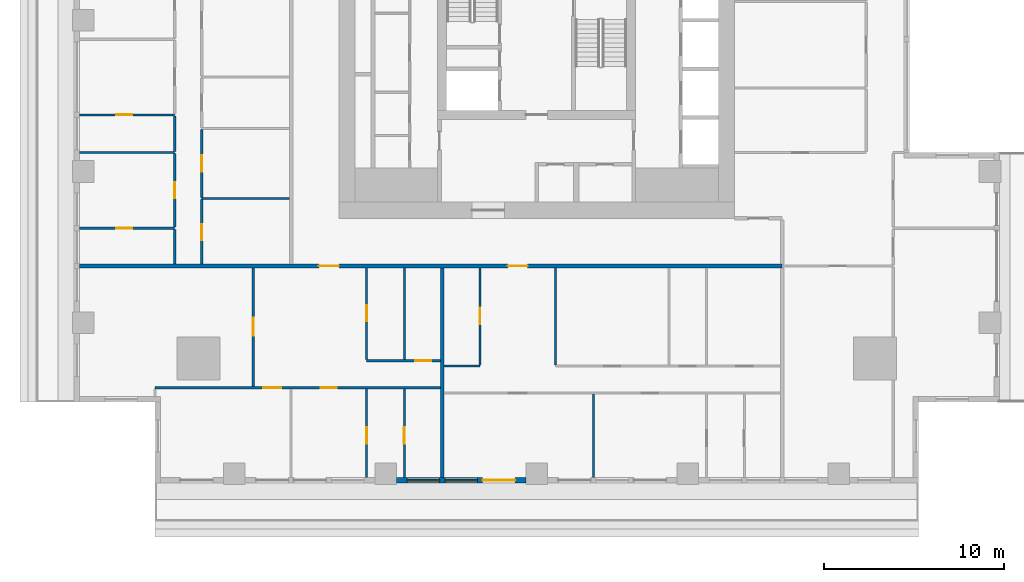
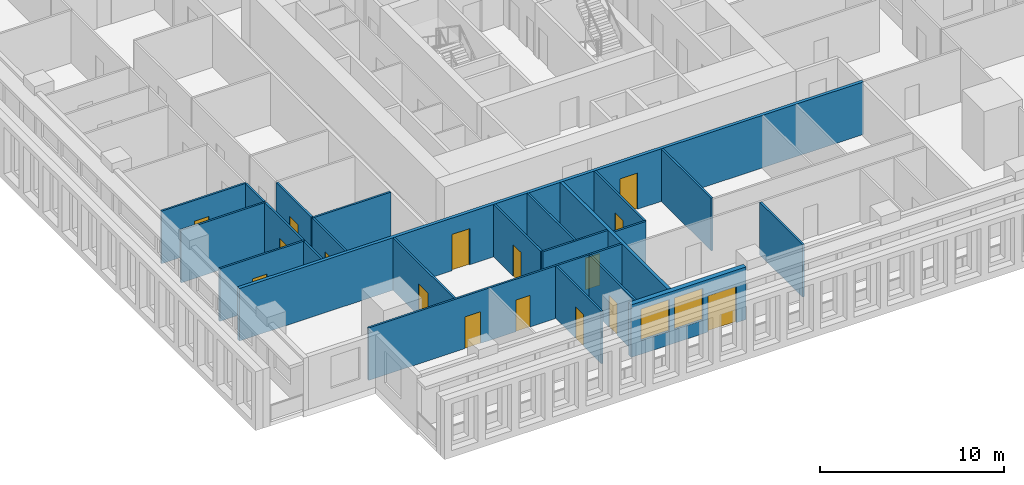
# One storey, part 2 of 16: 23 walls, 16 doors, 2 windows, 18 openings.
"""IFC4 building model written with IfcOpenShell, lengths in metres."""

from ifc_helpers import new_model, si_unit, direction, frame, frame_2d, origin, place, context, subcontext, project, spatial, rectangle, extrude, material, layer, layer_set, type_object, element, fill, save


model = new_model("IFC4")

# Units and contexts
model_context = context("Model", 3, precision=1e-05, world=origin(), true_north=direction((0.0, 1.0)))
body_context = subcontext(model_context, "Body", "Model", "MODEL_VIEW")
ifc_project = project(units=[si_unit("LENGTHUNIT", "METRE"), si_unit("AREAUNIT", "SQUARE_METRE"), si_unit("VOLUMEUNIT", "CUBIC_METRE"), si_unit("PLANEANGLEUNIT", "RADIAN"), si_unit("MASSUNIT", "GRAM", prefix="KILO")], contexts=[model_context])

# Site, building, storey
site_placement = place(None, origin())
site = spatial("IfcSite", under=ifc_project, at=site_placement, CompositionType="ELEMENT")
building_placement = place(site_placement, origin())
building = spatial("IfcBuilding", under=site, at=building_placement, Name="Khepri Terraces", CompositionType="ELEMENT")
storey_placement = place(building_placement, frame((0.0, 0.0, 207.89990234375)))
storey = spatial("IfcBuildingStorey", under=building, at=storey_placement, Name="L49", CompositionType="ELEMENT", Elevation=207.89990234375)

# Wall
ifc_material_1 = material(Name="Fire-rated gypsum plasterboard partition, mineral wool")
ifc_layer_1 = layer(ifc_material_1, 0.199951171875, Name="Fire-rated gypsum plasterboard partition, mineral wool")
ifc_layer_set_1 = layer_set([ifc_layer_1], Name="Fire-rated gypsum plasterboard partition, mineral wool")
wall_type_1 = type_object("IfcWallType", Name="WL-CORR-200", PredefinedType="PARTITIONING", material=ifc_layer_set_1)
wall_1_placement = place(storey_placement, frame((-5.25, -25.419921875, 0.0), z_axis=(0.0, 0.0, 1.0), x_axis=(0.0, 1.0, 0.0)))
element("IfcWall", 1, at=wall_1_placement, inside=storey, type_object=wall_type_1, Name="Partition P-004 L49", PredefinedType="PARTITIONING", context=body_context, shape_type="SweptSolid", body=[
    extrude(rectangle(XDim=11.669921875, YDim=0.199951171875, at=frame_2d((5.8349609375, 0.0))), origin(), (0.0, 0.0, 1.0), 3.47998046875),
])

# Wall, openings, doors
wall_2_placement = place(storey_placement, frame((-25.419921875, -13.64990234375, 0.0), z_axis=(0.0, 0.0, 1.0), x_axis=(1.0, 0.0, 0.0)))
wall_2 = element("IfcWall", 2, at=wall_2_placement, inside=storey, type_object=wall_type_1, Name="Partition P-024 L49", PredefinedType="PARTITIONING", context=body_context, shape_type="SweptSolid", body=[
    extrude(rectangle(XDim=39.06982421875, YDim=0.199951171875, at=frame_2d((19.534912109375, 0.0))), origin(), (0.0, 0.0, 1.0), 3.47998046875),
])
opening_1_placement = place(wall_2_placement, frame((13.320068359375, 0.0, 0.0)))
opening_1 = element("IfcOpeningElement", 3, at=opening_1_placement, cuts=wall_2, Name="Opening D1", PredefinedType="OPENING", context=body_context, shape_type="SweptSolid", body=[
    extrude(rectangle(XDim=1.10009765625, YDim=2.39990234375, at=frame_2d((0.550048828125, 1.199951171875))), frame((0.0, 0.10986328125, 0.0), z_axis=(0.0, -1.0, 0.0), x_axis=(1.0, 0.0, 0.0)), (0.0, 0.0, 1.0), 0.219970703125),
])
opening_2_placement = place(wall_2_placement, frame((23.820068359375, 0.0, 0.0)))
opening_2 = element("IfcOpeningElement", 4, at=opening_2_placement, cuts=wall_2, Name="Opening D1", PredefinedType="OPENING", context=body_context, shape_type="SweptSolid", body=[
    extrude(rectangle(XDim=1.10009765625, YDim=2.39990234375, at=frame_2d((0.550048828125, 1.199951171875))), frame((0.0, 0.10986328125, 0.0), z_axis=(0.0, -1.0, 0.0), x_axis=(1.0, 0.0, 0.0)), (0.0, 0.0, 1.0), 0.219970703125),
])
ifc_material_2 = material(Name="Solid-core timber door leaf, flat entrance door", Category="wood")
door_type_1 = type_object("IfcDoorType", Name="DR-ENT-1100", OperationType="NOTDEFINED", PredefinedType="DOOR", material=ifc_material_2)
door_1_placement = place(opening_1_placement, frame((1.10009765625, 0.0, 0.0), z_axis=(0.0, 0.0, 1.0), x_axis=(-1.0, 0.0, 0.0)))
door_1 = element("IfcDoor", 5, at=door_1_placement, inside=storey, type_object=door_type_1, Name="Flat A1 entrance door", OperationType="SINGLE_SWING_RIGHT", OverallHeight=2.39990234375, OverallWidth=1.10009765625, PredefinedType="DOOR", context=body_context, shape_type="SweptSolid", body=[
    extrude(rectangle(XDim=1.10009765625, YDim=2.39990234375, at=frame_2d((0.550048828125, 1.199951171875))), frame((0.0, 0.02490234375, 0.0), z_axis=(0.0, -1.0, 0.0), x_axis=(1.0, 0.0, 0.0)), (0.0, 0.0, 1.0), 0.050048828125),
])
fill(opening_1, door_1)
door_2_placement = place(opening_2_placement, frame((1.10009765625, 0.0, 0.0), z_axis=(0.0, 0.0, 1.0), x_axis=(-1.0, 0.0, 0.0)))
door_2 = element("IfcDoor", 6, at=door_2_placement, inside=storey, type_object=door_type_1, Name="Flat A2 entrance door", OperationType="SINGLE_SWING_LEFT", OverallHeight=2.39990234375, OverallWidth=1.10009765625, PredefinedType="DOOR", context=body_context, shape_type="SweptSolid", body=[
    extrude(rectangle(XDim=1.10009765625, YDim=2.39990234375, at=frame_2d((0.550048828125, 1.199951171875))), frame((0.0, 0.02490234375, 0.0), z_axis=(0.0, -1.0, 0.0), x_axis=(1.0, 0.0, 0.0)), (0.0, 0.0, 1.0), 0.050048828125),
])
fill(opening_2, door_2)

# Wall, openings, door, windows
ifc_material_3 = material(Name="Precast concrete C50/60 warm stone", Category="masonry")
ifc_layer_2 = layer(ifc_material_3, 0.300048828125, Name="Precast concrete C50/60 warm stone", Category="masonry")
ifc_layer_set_2 = layer_set([ifc_layer_2], Name="Precast concrete C50/60 warm stone")
wall_type_2 = type_object("IfcWallType", Name="WL-EXT-PRECAST-300", PredefinedType="STANDARD", material=ifc_layer_set_2)
wall_3_placement = place(storey_placement, frame((-7.800048828125, -25.570068359375, 0.0), z_axis=(0.0, 0.0, 1.0), x_axis=(1.0, 0.0, 0.0)))
wall_3 = element("IfcWall", 7, at=wall_3_placement, inside=storey, type_object=wall_type_2, Name="External wall L49 S", PredefinedType="STANDARD", context=body_context, shape_type="SweptSolid", body=[
    extrude(rectangle(XDim=7.199951171875, YDim=0.300048828125, at=frame_2d((3.60009765625, 0.0))), origin(), (0.0, 0.0, 1.0), 3.47998046875),
])
opening_3_placement = place(wall_3_placement, frame((0.60009765625, 0.0, 0.89990234375)))
opening_3 = element("IfcOpeningElement", 8, at=opening_3_placement, cuts=wall_3, Name="Opening W1", PredefinedType="OPENING", context=body_context, shape_type="SweptSolid", body=[
    extrude(rectangle(XDim=1.800048828125, YDim=2.10009765625, at=frame_2d((0.89990234375, 1.050048828125))), frame((0.0, 0.16015625, 0.0), z_axis=(0.0, -1.0, 0.0), x_axis=(1.0, 0.0, 0.0)), (0.0, 0.0, 1.0), 0.320068359375),
])
opening_4_placement = place(wall_3_placement, frame((2.699951171875, 0.0, 0.89990234375)))
opening_4 = element("IfcOpeningElement", 9, at=opening_4_placement, cuts=wall_3, Name="Opening W1", PredefinedType="OPENING", context=body_context, shape_type="SweptSolid", body=[
    extrude(rectangle(XDim=1.800048828125, YDim=2.10009765625, at=frame_2d((0.89990234375, 1.050048828125))), frame((0.0, 0.16015625, 0.0), z_axis=(0.0, -1.0, 0.0), x_axis=(1.0, 0.0, 0.0)), (0.0, 0.0, 1.0), 0.320068359375),
])
opening_5_placement = place(wall_3_placement, frame((4.800048828125, 0.0, 0.0)))
opening_5 = element("IfcOpeningElement", 10, at=opening_5_placement, cuts=wall_3, Name="Opening ED-L49-16", PredefinedType="OPENING", context=body_context, shape_type="SweptSolid", body=[
    extrude(rectangle(XDim=1.800048828125, YDim=2.39990234375, at=frame_2d((0.89990234375, 1.199951171875))), frame((0.0, 0.16015625, 0.0), z_axis=(0.0, -1.0, 0.0), x_axis=(1.0, 0.0, 0.0)), (0.0, 0.0, 1.0), 0.320068359375),
])
ifc_material_4 = material(Name="Anodised aluminium bronze glazed door", Category="aluminium")
door_type_2 = type_object("IfcDoorType", Name="DR-BAL-SLIDE-1800x2400", OperationType="NOTDEFINED", PredefinedType="DOOR", material=ifc_material_4)
door_3_placement = place(opening_5_placement, origin())
door_3 = element("IfcDoor", 11, at=door_3_placement, inside=storey, type_object=door_type_2, Name="Balcony door L49 S", OperationType="SLIDING_TO_RIGHT", OverallHeight=2.39990234375, OverallWidth=1.800048828125, PredefinedType="DOOR", context=body_context, shape_type="SweptSolid", body=[
    extrude(rectangle(XDim=1.800048828125, YDim=2.39990234375, at=frame_2d((0.89990234375, 1.199951171875))), frame((0.0, 0.02490234375, 0.0), z_axis=(0.0, -1.0, 0.0), x_axis=(1.0, 0.0, 0.0)), (0.0, 0.0, 1.0), 0.050048828125),
])
fill(opening_5, door_3)
ifc_material_5 = material(Name="Clear glass", Category="glass")
window_type = type_object("IfcWindowType", Name="WIN-RES-1800x2100", PartitioningType="SINGLE_PANEL", PredefinedType="WINDOW", material=ifc_material_5)
window_1_placement = place(opening_3_placement, origin())
window_1 = element("IfcWindow", 12, at=window_1_placement, inside=storey, type_object=window_type, Name="Window L49 S", OverallHeight=2.10009765625, OverallWidth=1.800048828125, PartitioningType="SINGLE_PANEL", PredefinedType="WINDOW", context=body_context, shape_type="SweptSolid", body=[
    extrude(rectangle(XDim=1.800048828125, YDim=2.10009765625, at=frame_2d((0.89990234375, 1.050048828125))), frame((0.0, 0.030029296875, 0.0), z_axis=(0.0, -1.0, 0.0), x_axis=(1.0, 0.0, 0.0)), (0.0, 0.0, 1.0), 0.06005859375),
])
fill(opening_3, window_1)
window_2_placement = place(opening_4_placement, origin())
window_2 = element("IfcWindow", 13, at=window_2_placement, inside=storey, type_object=window_type, Name="Window L49 S", OverallHeight=2.10009765625, OverallWidth=1.800048828125, PartitioningType="SINGLE_PANEL", PredefinedType="WINDOW", context=body_context, shape_type="SweptSolid", body=[
    extrude(rectangle(XDim=1.800048828125, YDim=2.10009765625, at=frame_2d((0.89990234375, 1.050048828125))), frame((0.0, 0.030029296875, 0.0), z_axis=(0.0, -1.0, 0.0), x_axis=(1.0, 0.0, 0.0)), (0.0, 0.0, 1.0), 0.06005859375),
])
fill(opening_4, window_2)

# Wall, opening, door
ifc_material_6 = material(Name="Gypsum plasterboard partition")
ifc_layer_3 = layer(ifc_material_6, 0.1201171875, Name="Gypsum plasterboard partition")
ifc_layer_set_3 = layer_set([ifc_layer_3], Name="Gypsum plasterboard partition")
wall_type_3 = type_object("IfcWallType", Name="WL-PART-120", PredefinedType="PARTITIONING", material=ifc_layer_set_3)
wall_4_placement = place(storey_placement, frame((-9.449951171875, -25.419921875, 0.0), z_axis=(0.0, 0.0, 1.0), x_axis=(0.0, 1.0, 0.0)))
wall_4 = element("IfcWall", 14, at=wall_4_placement, inside=storey, type_object=wall_type_3, Name="Partition P-002 L49", PredefinedType="PARTITIONING", context=body_context, shape_type="SweptSolid", body=[
    extrude(rectangle(XDim=4.93994140625, YDim=0.1201171875, at=frame_2d((2.469970703125, 0.0))), origin(), (0.0, 0.0, 1.0), 3.47998046875),
])
opening_6_placement = place(wall_4_placement, frame((1.89990234375, 0.0, 0.0)))
opening_6 = element("IfcOpeningElement", 15, at=opening_6_placement, cuts=wall_4, Name="Opening D3", PredefinedType="OPENING", context=body_context, shape_type="SweptSolid", body=[
    extrude(rectangle(XDim=0.89990234375, YDim=2.10009765625, at=frame_2d((0.449951171875, 1.050048828125))), frame((0.0, 0.070068359375, 0.0), z_axis=(0.0, -1.0, 0.0), x_axis=(1.0, 0.0, 0.0)), (0.0, 0.0, 1.0), 0.14013671875),
])
ifc_material_7 = material(Name="Timber door leaf", Category="wood")
door_type_3 = type_object("IfcDoorType", Name="DR-INT-900", OperationType="NOTDEFINED", PredefinedType="DOOR", material=ifc_material_7)
door_4_placement = place(opening_6_placement, frame((0.89990234375, 0.0, 0.0), z_axis=(0.0, 0.0, 1.0), x_axis=(-1.0, 0.0, 0.0)))
door_4 = element("IfcDoor", 16, at=door_4_placement, inside=storey, type_object=door_type_3, Name="Door Dressing Room", OperationType="SINGLE_SWING_RIGHT", OverallHeight=2.10009765625, OverallWidth=0.89990234375, PredefinedType="DOOR", context=body_context, shape_type="SweptSolid", body=[
    extrude(rectangle(XDim=0.89990234375, YDim=2.10009765625, at=frame_2d((0.449951171875, 1.050048828125))), frame((0.0, 0.02490234375, 0.0), z_axis=(0.0, -1.0, 0.0), x_axis=(1.0, 0.0, 0.0)), (0.0, 0.0, 1.0), 0.050048828125),
])
fill(opening_6, door_4)

wall_5_placement = place(storey_placement, frame((-7.35009765625, -25.419921875, 0.0), z_axis=(0.0, 0.0, 1.0), x_axis=(0.0, 1.0, 0.0)))
wall_5 = element("IfcWall", 17, at=wall_5_placement, inside=storey, type_object=wall_type_3, Name="Partition P-003 L49", PredefinedType="PARTITIONING", context=body_context, shape_type="SweptSolid", body=[
    extrude(rectangle(XDim=4.93994140625, YDim=0.1201171875, at=frame_2d((2.469970703125, 0.0))), origin(), (0.0, 0.0, 1.0), 3.47998046875),
])
opening_7_placement = place(wall_5_placement, frame((1.89990234375, 0.0, 0.0)))
opening_7 = element("IfcOpeningElement", 18, at=opening_7_placement, cuts=wall_5, Name="Opening D4", PredefinedType="OPENING", context=body_context, shape_type="SweptSolid", body=[
    extrude(rectangle(XDim=0.89990234375, YDim=2.10009765625, at=frame_2d((0.449951171875, 1.050048828125))), frame((0.0, 0.070068359375, 0.0), z_axis=(0.0, -1.0, 0.0), x_axis=(1.0, 0.0, 0.0)), (0.0, 0.0, 1.0), 0.14013671875),
])
ifc_material_8 = material(Name="Timber door leaf, moisture resistant", Category="wood")
door_type_4 = type_object("IfcDoorType", Name="DR-WET-900", OperationType="NOTDEFINED", PredefinedType="DOOR", material=ifc_material_8)
door_5_placement = place(opening_7_placement, frame((0.89990234375, 0.0, 0.0), z_axis=(0.0, 0.0, 1.0), x_axis=(-1.0, 0.0, 0.0)))
door_5 = element("IfcDoor", 19, at=door_5_placement, inside=storey, type_object=door_type_4, Name="Door Bathroom", OperationType="SINGLE_SWING_RIGHT", OverallHeight=2.10009765625, OverallWidth=0.89990234375, PredefinedType="DOOR", context=body_context, shape_type="SweptSolid", body=[
    extrude(rectangle(XDim=0.89990234375, YDim=2.10009765625, at=frame_2d((0.449951171875, 1.050048828125))), frame((0.0, 0.02490234375, 0.0), z_axis=(0.0, -1.0, 0.0), x_axis=(1.0, 0.0, 0.0)), (0.0, 0.0, 1.0), 0.050048828125),
])
fill(opening_7, door_5)

# Wall
wall_6_placement = place(storey_placement, frame((3.14990234375, -25.419921875, 0.0), z_axis=(0.0, 0.0, 1.0), x_axis=(0.0, 1.0, 0.0)))
element("IfcWall", 20, at=wall_6_placement, inside=storey, type_object=wall_type_3, Name="Partition P-005 L49", PredefinedType="PARTITIONING", context=body_context, shape_type="SweptSolid", body=[
    extrude(rectangle(XDim=4.639892578125, YDim=0.1201171875, at=frame_2d((2.31982421875, 0.0))), origin(), (0.0, 0.0, 1.0), 3.47998046875),
])

# Wall, openings, doors
wall_7_placement = place(storey_placement, frame((-21.218994140625, -20.419921875, 0.0), z_axis=(0.0, 0.0, 1.0), x_axis=(1.0, 0.0, 0.0)))
wall_7 = element("IfcWall", 21, at=wall_7_placement, inside=storey, type_object=wall_type_3, Name="Partition P-012 L49", PredefinedType="PARTITIONING", context=body_context, shape_type="SweptSolid", body=[
    extrude(rectangle(XDim=15.868896484375, YDim=0.1201171875, at=frame_2d((7.9345703125, 0.0))), origin(), (0.0, 0.0, 1.0), 3.47998046875),
])
opening_8_placement = place(wall_7_placement, frame((6.01904296875, 0.0, 0.0)))
opening_8 = element("IfcOpeningElement", 22, at=opening_8_placement, cuts=wall_7, Name="Opening D2", PredefinedType="OPENING", context=body_context, shape_type="SweptSolid", body=[
    extrude(rectangle(XDim=1.0, YDim=2.10009765625, at=frame_2d((0.5, 1.050048828125))), frame((0.0, 0.070068359375, 0.0), z_axis=(0.0, -1.0, 0.0), x_axis=(1.0, 0.0, 0.0)), (0.0, 0.0, 1.0), 0.14013671875),
])
opening_9_placement = place(wall_7_placement, frame((9.218994140625, 0.0, 0.0)))
opening_9 = element("IfcOpeningElement", 23, at=opening_9_placement, cuts=wall_7, Name="Opening D3", PredefinedType="OPENING", context=body_context, shape_type="SweptSolid", body=[
    extrude(rectangle(XDim=0.89990234375, YDim=2.10009765625, at=frame_2d((0.449951171875, 1.050048828125))), frame((0.0, 0.070068359375, 0.0), z_axis=(0.0, -1.0, 0.0), x_axis=(1.0, 0.0, 0.0)), (0.0, 0.0, 1.0), 0.14013671875),
])
ifc_material_9 = material(Name="Timber door leaf, living room door", Category="wood")
door_type_5 = type_object("IfcDoorType", Name="DR-INT-1000", OperationType="NOTDEFINED", PredefinedType="DOOR", material=ifc_material_9)
door_6_placement = place(opening_8_placement, frame((1.0, 0.0, 0.0), z_axis=(0.0, 0.0, 1.0), x_axis=(-1.0, 0.0, 0.0)))
door_6 = element("IfcDoor", 24, at=door_6_placement, inside=storey, type_object=door_type_5, Name="Door Living Room", OperationType="SINGLE_SWING_RIGHT", OverallHeight=2.10009765625, OverallWidth=1.0, PredefinedType="DOOR", context=body_context, shape_type="SweptSolid", body=[
    extrude(rectangle(XDim=1.0, YDim=2.10009765625, at=frame_2d((0.5, 1.050048828125))), frame((0.0, 0.02490234375, 0.0), z_axis=(0.0, -1.0, 0.0), x_axis=(1.0, 0.0, 0.0)), (0.0, 0.0, 1.0), 0.050048828125),
])
fill(opening_8, door_6)
door_7_placement = place(opening_9_placement, frame((0.89990234375, 0.0, 0.0), z_axis=(0.0, 0.0, 1.0), x_axis=(-1.0, 0.0, 0.0)))
door_7 = element("IfcDoor", 25, at=door_7_placement, inside=storey, type_object=door_type_3, Name="Door Master Bedroom", OperationType="SINGLE_SWING_LEFT", OverallHeight=2.10009765625, OverallWidth=0.89990234375, PredefinedType="DOOR", context=body_context, shape_type="SweptSolid", body=[
    extrude(rectangle(XDim=0.89990234375, YDim=2.10009765625, at=frame_2d((0.449951171875, 1.050048828125))), frame((0.0, 0.02490234375, 0.0), z_axis=(0.0, -1.0, 0.0), x_axis=(1.0, 0.0, 0.0)), (0.0, 0.0, 1.0), 0.050048828125),
])
fill(opening_9, door_7)

# Wall, opening, door
wall_8_placement = place(storey_placement, frame((-15.75, -20.360107421875, 0.0), z_axis=(0.0, 0.0, 1.0), x_axis=(0.0, 1.0, 0.0)))
wall_8 = element("IfcWall", 26, at=wall_8_placement, inside=storey, type_object=wall_type_3, Name="Partition P-013 L49", PredefinedType="PARTITIONING", context=body_context, shape_type="SweptSolid", body=[
    extrude(rectangle(XDim=6.610107421875, YDim=0.1201171875, at=frame_2d((3.30517578125, 0.0))), origin(), (0.0, 0.0, 1.0), 3.47998046875),
])
opening_10_placement = place(wall_8_placement, frame((2.824951171875, 0.0, 0.0)))
opening_10 = element("IfcOpeningElement", 27, at=opening_10_placement, cuts=wall_8, Name="Opening D2", PredefinedType="OPENING", context=body_context, shape_type="SweptSolid", body=[
    extrude(rectangle(XDim=1.0, YDim=2.10009765625, at=frame_2d((0.5, 1.050048828125))), frame((0.0, 0.070068359375, 0.0), z_axis=(0.0, -1.0, 0.0), x_axis=(1.0, 0.0, 0.0)), (0.0, 0.0, 1.0), 0.14013671875),
])
door_8_placement = place(opening_10_placement, origin())
door_8 = element("IfcDoor", 28, at=door_8_placement, inside=storey, type_object=door_type_5, Name="Door Family Room", OperationType="SINGLE_SWING_RIGHT", OverallHeight=2.10009765625, OverallWidth=1.0, PredefinedType="DOOR", context=body_context, shape_type="SweptSolid", body=[
    extrude(rectangle(XDim=1.0, YDim=2.10009765625, at=frame_2d((0.5, 1.050048828125))), frame((0.0, 0.02490234375, 0.0), z_axis=(0.0, -1.0, 0.0), x_axis=(1.0, 0.0, 0.0)), (0.0, 0.0, 1.0), 0.050048828125),
])
fill(opening_10, door_8)

# Wall
wall_9_placement = place(storey_placement, frame((-5.14990234375, -19.219970703125, 0.0), z_axis=(0.0, 0.0, 1.0), x_axis=(1.0, 0.0, 0.0)))
element("IfcWall", 29, at=wall_9_placement, inside=storey, type_object=wall_type_3, Name="Partition P-014 L49", PredefinedType="PARTITIONING", context=body_context, shape_type="SweptSolid", body=[
    extrude(rectangle(XDim=2.0, YDim=0.1201171875, at=frame_2d((1.0, 0.0))), origin(), (0.0, 0.0, 1.0), 3.47998046875),
])

# Wall, opening, door
wall_10_placement = place(storey_placement, frame((-3.14990234375, -19.159912109375, 0.0), z_axis=(0.0, 0.0, 1.0), x_axis=(0.0, 1.0, 0.0)))
wall_10 = element("IfcWall", 30, at=wall_10_placement, inside=storey, type_object=wall_type_3, Name="Partition P-016 L49", PredefinedType="PARTITIONING", context=body_context, shape_type="SweptSolid", body=[
    extrude(rectangle(XDim=5.409912109375, YDim=0.1201171875, at=frame_2d((2.705078125, 0.0))), origin(), (0.0, 0.0, 1.0), 3.47998046875),
])
opening_11_placement = place(wall_10_placement, frame((2.27490234375, 0.0, 0.0)))
opening_11 = element("IfcOpeningElement", 31, at=opening_11_placement, cuts=wall_10, Name="Opening D4", PredefinedType="OPENING", context=body_context, shape_type="SweptSolid", body=[
    extrude(rectangle(XDim=0.89990234375, YDim=2.10009765625, at=frame_2d((0.449951171875, 1.050048828125))), frame((0.0, 0.070068359375, 0.0), z_axis=(0.0, -1.0, 0.0), x_axis=(1.0, 0.0, 0.0)), (0.0, 0.0, 1.0), 0.14013671875),
])
door_9_placement = place(opening_11_placement, origin())
door_9 = element("IfcDoor", 32, at=door_9_placement, inside=storey, type_object=door_type_4, Name="Door Guest Bathroom", OperationType="SINGLE_SWING_RIGHT", OverallHeight=2.10009765625, OverallWidth=0.89990234375, PredefinedType="DOOR", context=body_context, shape_type="SweptSolid", body=[
    extrude(rectangle(XDim=0.89990234375, YDim=2.10009765625, at=frame_2d((0.449951171875, 1.050048828125))), frame((0.0, 0.02490234375, 0.0), z_axis=(0.0, -1.0, 0.0), x_axis=(1.0, 0.0, 0.0)), (0.0, 0.0, 1.0), 0.050048828125),
])
fill(opening_11, door_9)

# Wall
wall_11_placement = place(storey_placement, frame((1.050048828125, -19.159912109375, 0.0), z_axis=(0.0, 0.0, 1.0), x_axis=(0.0, 1.0, 0.0)))
element("IfcWall", 33, at=wall_11_placement, inside=storey, type_object=wall_type_3, Name="Partition P-017 L49", PredefinedType="PARTITIONING", context=body_context, shape_type="SweptSolid", body=[
    extrude(rectangle(XDim=5.409912109375, YDim=0.1201171875, at=frame_2d((2.705078125, 0.0))), origin(), (0.0, 0.0, 1.0), 3.47998046875),
])

# Wall, opening, door
wall_12_placement = place(storey_placement, frame((-9.449951171875, -18.919921875, 0.0), z_axis=(0.0, 0.0, 1.0), x_axis=(1.0, 0.0, 0.0)))
wall_12 = element("IfcWall", 34, at=wall_12_placement, inside=storey, type_object=wall_type_3, Name="Partition P-020 L49", PredefinedType="PARTITIONING", context=body_context, shape_type="SweptSolid", body=[
    extrude(rectangle(XDim=4.099853515625, YDim=0.1201171875, at=frame_2d((2.0498046875, 0.0))), origin(), (0.0, 0.0, 1.0), 3.47998046875),
])
opening_12_placement = place(wall_12_placement, frame((2.699951171875, 0.0, 0.0)))
opening_12 = element("IfcOpeningElement", 35, at=opening_12_placement, cuts=wall_12, Name="Opening D3", PredefinedType="OPENING", context=body_context, shape_type="SweptSolid", body=[
    extrude(rectangle(XDim=0.89990234375, YDim=2.10009765625, at=frame_2d((0.449951171875, 1.050048828125))), frame((0.0, 0.070068359375, 0.0), z_axis=(0.0, -1.0, 0.0), x_axis=(1.0, 0.0, 0.0)), (0.0, 0.0, 1.0), 0.14013671875),
])
door_10_placement = place(opening_12_placement, origin())
door_10 = element("IfcDoor", 36, at=door_10_placement, inside=storey, type_object=door_type_3, Name="Door Kitchen", OperationType="SINGLE_SWING_RIGHT", OverallHeight=2.10009765625, OverallWidth=0.89990234375, PredefinedType="DOOR", context=body_context, shape_type="SweptSolid", body=[
    extrude(rectangle(XDim=0.89990234375, YDim=2.10009765625, at=frame_2d((0.449951171875, 1.050048828125))), frame((0.0, 0.02490234375, 0.0), z_axis=(0.0, -1.0, 0.0), x_axis=(1.0, 0.0, 0.0)), (0.0, 0.0, 1.0), 0.050048828125),
])
fill(opening_12, door_10)

wall_13_placement = place(storey_placement, frame((-9.449951171875, -18.860107421875, 0.0), z_axis=(0.0, 0.0, 1.0), x_axis=(0.0, 1.0, 0.0)))
wall_13 = element("IfcWall", 37, at=wall_13_placement, inside=storey, type_object=wall_type_3, Name="Partition P-021 L49", PredefinedType="PARTITIONING", context=body_context, shape_type="SweptSolid", body=[
    extrude(rectangle(XDim=5.110107421875, YDim=0.1201171875, at=frame_2d((2.55517578125, 0.0))), origin(), (0.0, 0.0, 1.0), 3.47998046875),
])
opening_13_placement = place(wall_13_placement, frame((2.125, 0.0, 0.0)))
opening_13 = element("IfcOpeningElement", 38, at=opening_13_placement, cuts=wall_13, Name="Opening D4", PredefinedType="OPENING", context=body_context, shape_type="SweptSolid", body=[
    extrude(rectangle(XDim=0.89990234375, YDim=2.10009765625, at=frame_2d((0.449951171875, 1.050048828125))), frame((0.0, 0.070068359375, 0.0), z_axis=(0.0, -1.0, 0.0), x_axis=(1.0, 0.0, 0.0)), (0.0, 0.0, 1.0), 0.14013671875),
])
door_11_placement = place(opening_13_placement, frame((0.89990234375, 0.0, 0.0), z_axis=(0.0, 0.0, 1.0), x_axis=(-1.0, 0.0, 0.0)))
door_11 = element("IfcDoor", 39, at=door_11_placement, inside=storey, type_object=door_type_4, Name="Door Guest Bathroom", OperationType="SINGLE_SWING_LEFT", OverallHeight=2.10009765625, OverallWidth=0.89990234375, PredefinedType="DOOR", context=body_context, shape_type="SweptSolid", body=[
    extrude(rectangle(XDim=0.89990234375, YDim=2.10009765625, at=frame_2d((0.449951171875, 1.050048828125))), frame((0.0, 0.02490234375, 0.0), z_axis=(0.0, -1.0, 0.0), x_axis=(1.0, 0.0, 0.0)), (0.0, 0.0, 1.0), 0.050048828125),
])
fill(opening_13, door_11)

# Walls
wall_14_placement = place(storey_placement, frame((-7.35009765625, -18.860107421875, 0.0), z_axis=(0.0, 0.0, 1.0), x_axis=(0.0, 1.0, 0.0)))
element("IfcWall", 40, at=wall_14_placement, inside=storey, type_object=wall_type_3, Name="Partition P-022 L49", PredefinedType="PARTITIONING", context=body_context, shape_type="SweptSolid", body=[
    extrude(rectangle(XDim=5.110107421875, YDim=0.1201171875, at=frame_2d((2.55517578125, 0.0))), origin(), (0.0, 0.0, 1.0), 3.47998046875),
])
wall_15_placement = place(storey_placement, frame((-20.1201171875, -13.550048828125, 0.0), z_axis=(0.0, 0.0, 1.0), x_axis=(0.0, 1.0, 0.0)))
element("IfcWall", 41, at=wall_15_placement, inside=storey, type_object=wall_type_3, Name="Partition P-027 L49", PredefinedType="PARTITIONING", context=body_context, shape_type="SweptSolid", body=[
    extrude(rectangle(XDim=1.93994140625, YDim=0.1201171875, at=frame_2d((0.969970703125, 0.0))), origin(), (0.0, 0.0, 1.0), 3.47998046875),
])

# Wall, opening, door
wall_16_placement = place(storey_placement, frame((-18.6201171875, -13.550048828125, 0.0), z_axis=(0.0, 0.0, 1.0), x_axis=(0.0, 1.0, 0.0)))
wall_16 = element("IfcWall", 42, at=wall_16_placement, inside=storey, type_object=wall_type_3, Name="Partition P-028 L49", PredefinedType="PARTITIONING", context=body_context, shape_type="SweptSolid", body=[
    extrude(rectangle(XDim=3.590087890625, YDim=0.1201171875, at=frame_2d((1.794921875, 0.0))), origin(), (0.0, 0.0, 1.0), 3.47998046875),
])
opening_14_placement = place(wall_16_placement, frame((1.324951171875, 0.0, 0.0)))
opening_14 = element("IfcOpeningElement", 43, at=opening_14_placement, cuts=wall_16, Name="Opening D3", PredefinedType="OPENING", context=body_context, shape_type="SweptSolid", body=[
    extrude(rectangle(XDim=0.89990234375, YDim=2.10009765625, at=frame_2d((0.449951171875, 1.050048828125))), frame((0.0, 0.070068359375, 0.0), z_axis=(0.0, -1.0, 0.0), x_axis=(1.0, 0.0, 0.0)), (0.0, 0.0, 1.0), 0.14013671875),
])
door_12_placement = place(opening_14_placement, frame((0.89990234375, 0.0, 0.0), z_axis=(0.0, 0.0, 1.0), x_axis=(-1.0, 0.0, 0.0)))
door_12 = element("IfcDoor", 44, at=door_12_placement, inside=storey, type_object=door_type_3, Name="Door Library", OperationType="SINGLE_SWING_RIGHT", OverallHeight=2.10009765625, OverallWidth=0.89990234375, PredefinedType="DOOR", context=body_context, shape_type="SweptSolid", body=[
    extrude(rectangle(XDim=0.89990234375, YDim=2.10009765625, at=frame_2d((0.449951171875, 1.050048828125))), frame((0.0, 0.02490234375, 0.0), z_axis=(0.0, -1.0, 0.0), x_axis=(1.0, 0.0, 0.0)), (0.0, 0.0, 1.0), 0.050048828125),
])
fill(opening_14, door_12)

wall_17_placement = place(storey_placement, frame((-25.419921875, -11.550048828125, 0.0), z_axis=(0.0, 0.0, 1.0), x_axis=(1.0, 0.0, 0.0)))
wall_17 = element("IfcWall", 45, at=wall_17_placement, inside=storey, type_object=wall_type_3, Name="Partition P-031 L49", PredefinedType="PARTITIONING", context=body_context, shape_type="SweptSolid", body=[
    extrude(rectangle(XDim=5.2998046875, YDim=0.1201171875, at=frame_2d((2.64990234375, 0.0))), origin(), (0.0, 0.0, 1.0), 3.47998046875),
])
opening_15_placement = place(wall_17_placement, frame((2.050048828125, 0.0, 0.0)))
opening_15 = element("IfcOpeningElement", 46, at=opening_15_placement, cuts=wall_17, Name="Opening D4", PredefinedType="OPENING", context=body_context, shape_type="SweptSolid", body=[
    extrude(rectangle(XDim=0.89990234375, YDim=2.10009765625, at=frame_2d((0.449951171875, 1.050048828125))), frame((0.0, 0.070068359375, 0.0), z_axis=(0.0, -1.0, 0.0), x_axis=(1.0, 0.0, 0.0)), (0.0, 0.0, 1.0), 0.14013671875),
])
door_13_placement = place(opening_15_placement, frame((0.89990234375, 0.0, 0.0), z_axis=(0.0, 0.0, 1.0), x_axis=(-1.0, 0.0, 0.0)))
door_13 = element("IfcDoor", 47, at=door_13_placement, inside=storey, type_object=door_type_4, Name="Door Bathroom", OperationType="SINGLE_SWING_RIGHT", OverallHeight=2.10009765625, OverallWidth=0.89990234375, PredefinedType="DOOR", context=body_context, shape_type="SweptSolid", body=[
    extrude(rectangle(XDim=0.89990234375, YDim=2.10009765625, at=frame_2d((0.449951171875, 1.050048828125))), frame((0.0, 0.02490234375, 0.0), z_axis=(0.0, -1.0, 0.0), x_axis=(1.0, 0.0, 0.0)), (0.0, 0.0, 1.0), 0.050048828125),
])
fill(opening_15, door_13)

wall_18_placement = place(storey_placement, frame((-20.1201171875, -11.489990234375, 0.0), z_axis=(0.0, 0.0, 1.0), x_axis=(0.0, 1.0, 0.0)))
wall_18 = element("IfcWall", 48, at=wall_18_placement, inside=storey, type_object=wall_type_3, Name="Partition P-033 L49", PredefinedType="PARTITIONING", context=body_context, shape_type="SweptSolid", body=[
    extrude(rectangle(XDim=4.080078125, YDim=0.1201171875, at=frame_2d((2.0400390625, 0.0))), origin(), (0.0, 0.0, 1.0), 3.47998046875),
])
opening_16_placement = place(wall_18_placement, frame((1.590087890625, 0.0, 0.0)))
opening_16 = element("IfcOpeningElement", 49, at=opening_16_placement, cuts=wall_18, Name="Opening D3", PredefinedType="OPENING", context=body_context, shape_type="SweptSolid", body=[
    extrude(rectangle(XDim=0.89990234375, YDim=2.10009765625, at=frame_2d((0.449951171875, 1.050048828125))), frame((0.0, 0.070068359375, 0.0), z_axis=(0.0, -1.0, 0.0), x_axis=(1.0, 0.0, 0.0)), (0.0, 0.0, 1.0), 0.14013671875),
])
door_14_placement = place(opening_16_placement, origin())
door_14 = element("IfcDoor", 50, at=door_14_placement, inside=storey, type_object=door_type_3, Name="Door Bedroom", OperationType="SINGLE_SWING_RIGHT", OverallHeight=2.10009765625, OverallWidth=0.89990234375, PredefinedType="DOOR", context=body_context, shape_type="SweptSolid", body=[
    extrude(rectangle(XDim=0.89990234375, YDim=2.10009765625, at=frame_2d((0.449951171875, 1.050048828125))), frame((0.0, 0.02490234375, 0.0), z_axis=(0.0, -1.0, 0.0), x_axis=(1.0, 0.0, 0.0)), (0.0, 0.0, 1.0), 0.050048828125),
])
fill(opening_16, door_14)

# Wall
wall_19_placement = place(storey_placement, frame((-18.6201171875, -9.89990234375, 0.0), z_axis=(0.0, 0.0, 1.0), x_axis=(1.0, 0.0, 0.0)))
element("IfcWall", 51, at=wall_19_placement, inside=storey, type_object=wall_type_3, Name="Partition P-036 L49", PredefinedType="PARTITIONING", context=body_context, shape_type="SweptSolid", body=[
    extrude(rectangle(XDim=4.8701171875, YDim=0.1201171875, at=frame_2d((2.43505859375, 0.0))), origin(), (0.0, 0.0, 1.0), 3.47998046875),
])

# Wall, opening, door
wall_20_placement = place(storey_placement, frame((-18.6201171875, -9.840087890625, 0.0), z_axis=(0.0, 0.0, 1.0), x_axis=(0.0, 1.0, 0.0)))
wall_20 = element("IfcWall", 52, at=wall_20_placement, inside=storey, type_object=wall_type_3, Name="Partition P-037 L49", PredefinedType="PARTITIONING", context=body_context, shape_type="SweptSolid", body=[
    extrude(rectangle(XDim=3.780029296875, YDim=0.1201171875, at=frame_2d((1.89013671875, 0.0))), origin(), (0.0, 0.0, 1.0), 3.47998046875),
])
opening_17_placement = place(wall_20_placement, frame((1.43994140625, 0.0, 0.0)))
opening_17 = element("IfcOpeningElement", 53, at=opening_17_placement, cuts=wall_20, Name="Opening D4", PredefinedType="OPENING", context=body_context, shape_type="SweptSolid", body=[
    extrude(rectangle(XDim=0.89990234375, YDim=2.10009765625, at=frame_2d((0.449951171875, 1.050048828125))), frame((0.0, 0.070068359375, 0.0), z_axis=(0.0, -1.0, 0.0), x_axis=(1.0, 0.0, 0.0)), (0.0, 0.0, 1.0), 0.14013671875),
])
door_15_placement = place(opening_17_placement, frame((0.89990234375, 0.0, 0.0), z_axis=(0.0, 0.0, 1.0), x_axis=(-1.0, 0.0, 0.0)))
door_15 = element("IfcDoor", 54, at=door_15_placement, inside=storey, type_object=door_type_4, Name="Door Guest Bathroom", OperationType="SINGLE_SWING_RIGHT", OverallHeight=2.10009765625, OverallWidth=0.89990234375, PredefinedType="DOOR", context=body_context, shape_type="SweptSolid", body=[
    extrude(rectangle(XDim=0.89990234375, YDim=2.10009765625, at=frame_2d((0.449951171875, 1.050048828125))), frame((0.0, 0.02490234375, 0.0), z_axis=(0.0, -1.0, 0.0), x_axis=(1.0, 0.0, 0.0)), (0.0, 0.0, 1.0), 0.050048828125),
])
fill(opening_17, door_15)

# Walls
wall_21_placement = place(storey_placement, frame((-25.419921875, -7.35009765625, 0.0), z_axis=(0.0, 0.0, 1.0), x_axis=(1.0, 0.0, 0.0)))
element("IfcWall", 55, at=wall_21_placement, inside=storey, type_object=wall_type_3, Name="Partition P-038 L49", PredefinedType="PARTITIONING", context=body_context, shape_type="SweptSolid", body=[
    extrude(rectangle(XDim=5.2998046875, YDim=0.1201171875, at=frame_2d((2.64990234375, 0.0))), origin(), (0.0, 0.0, 1.0), 3.47998046875),
])
wall_22_placement = place(storey_placement, frame((-20.1201171875, -7.2900390625, 0.0), z_axis=(0.0, 0.0, 1.0), x_axis=(0.0, 1.0, 0.0)))
element("IfcWall", 56, at=wall_22_placement, inside=storey, type_object=wall_type_3, Name="Partition P-041 L49", PredefinedType="PARTITIONING", context=body_context, shape_type="SweptSolid", body=[
    extrude(rectangle(XDim=1.97998046875, YDim=0.1201171875, at=frame_2d((0.989990234375, 0.0))), origin(), (0.0, 0.0, 1.0), 3.47998046875),
])

# Wall, opening, door
wall_23_placement = place(storey_placement, frame((-25.419921875, -5.25, 0.0), z_axis=(0.0, 0.0, 1.0), x_axis=(1.0, 0.0, 0.0)))
wall_23 = element("IfcWall", 57, at=wall_23_placement, inside=storey, type_object=wall_type_3, Name="Partition P-045 L49", PredefinedType="PARTITIONING", context=body_context, shape_type="SweptSolid", body=[
    extrude(rectangle(XDim=5.2998046875, YDim=0.1201171875, at=frame_2d((2.64990234375, 0.0))), origin(), (0.0, 0.0, 1.0), 3.47998046875),
])
opening_18_placement = place(wall_23_placement, frame((2.050048828125, 0.0, 0.0)))
opening_18 = element("IfcOpeningElement", 58, at=opening_18_placement, cuts=wall_23, Name="Opening D4", PredefinedType="OPENING", context=body_context, shape_type="SweptSolid", body=[
    extrude(rectangle(XDim=0.89990234375, YDim=2.10009765625, at=frame_2d((0.449951171875, 1.050048828125))), frame((0.0, 0.070068359375, 0.0), z_axis=(0.0, -1.0, 0.0), x_axis=(1.0, 0.0, 0.0)), (0.0, 0.0, 1.0), 0.14013671875),
])
door_16_placement = place(opening_18_placement, frame((0.89990234375, 0.0, 0.0), z_axis=(0.0, 0.0, 1.0), x_axis=(-1.0, 0.0, 0.0)))
door_16 = element("IfcDoor", 59, at=door_16_placement, inside=storey, type_object=door_type_4, Name="Door Bathroom", OperationType="SINGLE_SWING_RIGHT", OverallHeight=2.10009765625, OverallWidth=0.89990234375, PredefinedType="DOOR", context=body_context, shape_type="SweptSolid", body=[
    extrude(rectangle(XDim=0.89990234375, YDim=2.10009765625, at=frame_2d((0.449951171875, 1.050048828125))), frame((0.0, 0.02490234375, 0.0), z_axis=(0.0, -1.0, 0.0), x_axis=(1.0, 0.0, 0.0)), (0.0, 0.0, 1.0), 0.050048828125),
])
fill(opening_18, door_16)

save(model, "model.ifc")
